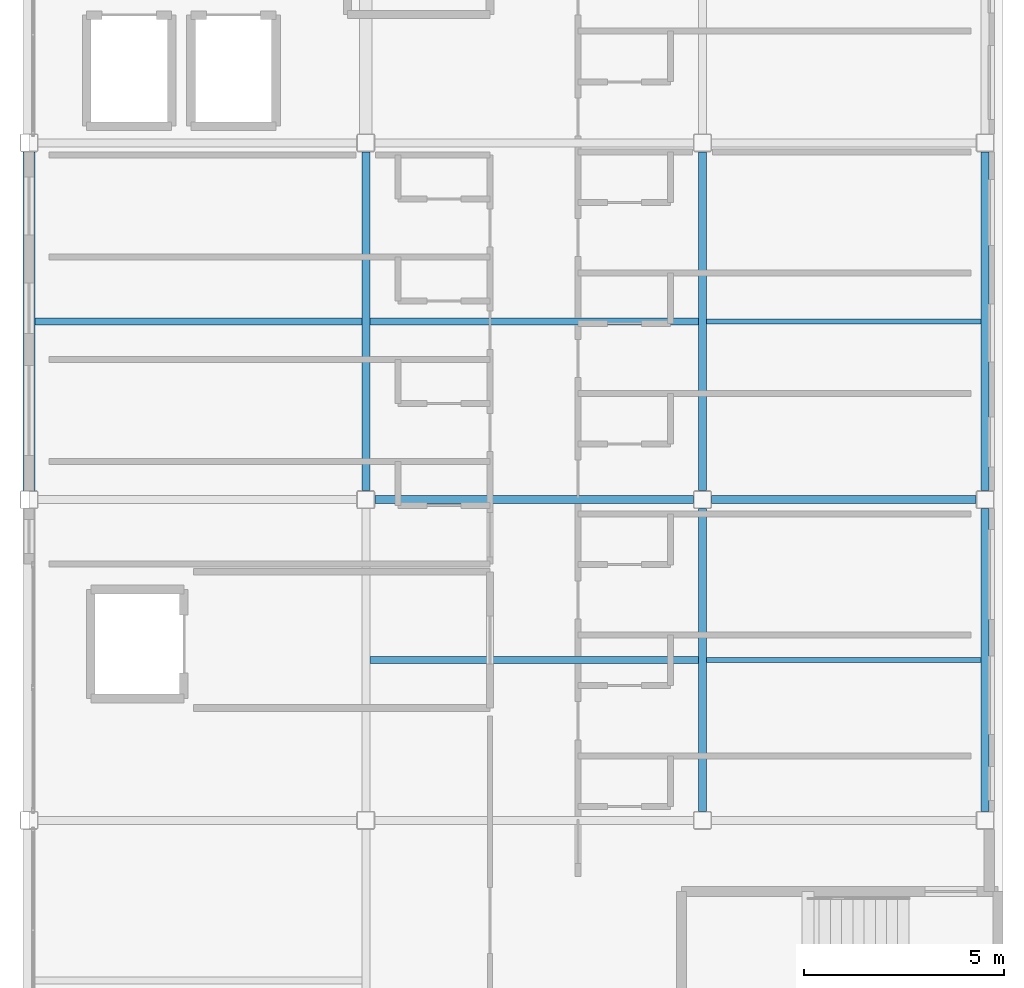
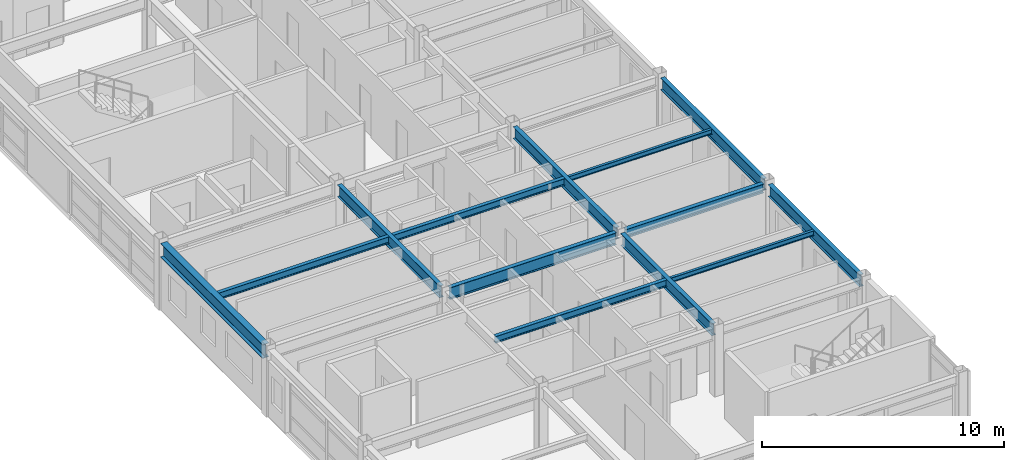
# One storey, part 8 of 28: 13 beams.
"""IFC4 building model written with IfcOpenShell, lengths in metres."""

from ifc_helpers import new_model, si_unit, direction, frame, origin, origin_2d, place, context, subcontext, project, spatial, i_section, extrude, material, material_profile, profile_set, type_object, element, save


model = new_model("IFC4")

# Units and contexts
model_context = context("Model", 3, precision=1e-05, world=origin(), true_north=direction((0.0, 1.0)))
body_context = subcontext(model_context, "Body", "Model", "MODEL_VIEW")
ifc_project = project(units=[si_unit("LENGTHUNIT", "METRE"), si_unit("AREAUNIT", "SQUARE_METRE"), si_unit("VOLUMEUNIT", "CUBIC_METRE"), si_unit("PLANEANGLEUNIT", "RADIAN"), si_unit("MASSUNIT", "GRAM", prefix="KILO")], contexts=[model_context])

# Site, building, storey
site_placement = place(None, origin())
site = spatial("IfcSite", under=ifc_project, at=site_placement, CompositionType="ELEMENT")
building_placement = place(site_placement, origin())
building = spatial("IfcBuilding", under=site, at=building_placement, Name="Kazehara Bluff Congress Hotel", CompositionType="ELEMENT")
storey_placement = place(building_placement, frame((0.0, 0.0, 42.60009765625)))
storey = spatial("IfcBuildingStorey", under=building, at=storey_placement, Name="L10", CompositionType="ELEMENT", Elevation=42.60009765625)

# Beams
ifc_material_1 = material(Name="Steel SN490B", Category="steel")
ifc_material_profile_1 = material_profile(ifc_material_1, i_section(OverallWidth=0.199951171875, OverallDepth=0.60009765625, WebThickness=0.010986328125, FlangeThickness=0.01708984375, FilletRadius=0.012939453125, at=origin_2d()))
ifc_profile_set_1 = profile_set([ifc_material_profile_1], Name="Steel SN490B")
beam_type_1 = type_object("IfcBeamType", Name="TP-G-02", PredefinedType="BEAM", material=ifc_profile_set_1)
beam_1_placement = place(storey_placement, frame((152.10009765625, 32.22509765625, 3.079833984375), z_axis=(0.0, 1.0, 0.0), x_axis=(-1.0, 0.0, 0.0)))
element("IfcBeam", 1, at=beam_1_placement, inside=storey, type_object=beam_type_1, Name="L10 girder G-02 10", PredefinedType="BEAM", context=body_context, shape_type="SweptSolid", body=[
    extrude(i_section(OverallWidth=0.199951171875, OverallDepth=0.60009765625, WebThickness=0.010986328125, FlangeThickness=0.01708984375, FilletRadius=0.012939453125, at=origin_2d()), origin(), (0.0, 0.0, 1.0), 8.449951171875),
])
beam_2_placement = place(storey_placement, frame((160.5, 24.22509765625, 3.079833984375), z_axis=(0.0, 1.0, 0.0), x_axis=(-1.0, 0.0, 0.0)))
element("IfcBeam", 2, at=beam_2_placement, inside=storey, type_object=beam_type_1, Name="L10 girder G-02 15", PredefinedType="BEAM", context=body_context, shape_type="SweptSolid", body=[
    extrude(i_section(OverallWidth=0.199951171875, OverallDepth=0.60009765625, WebThickness=0.010986328125, FlangeThickness=0.01708984375, FilletRadius=0.012939453125, at=origin_2d()), origin(), (0.0, 0.0, 1.0), 7.5498046875),
])
beam_3_placement = place(storey_placement, frame((160.5, 32.22509765625, 3.079833984375), z_axis=(0.0, 1.0, 0.0), x_axis=(-1.0, 0.0, 0.0)))
element("IfcBeam", 3, at=beam_3_placement, inside=storey, type_object=beam_type_1, Name="L10 girder G-02 16", PredefinedType="BEAM", context=body_context, shape_type="SweptSolid", body=[
    extrude(i_section(OverallWidth=0.199951171875, OverallDepth=0.60009765625, WebThickness=0.010986328125, FlangeThickness=0.01708984375, FilletRadius=0.012939453125, at=origin_2d()), origin(), (0.0, 0.0, 1.0), 8.449951171875),
])
beam_4_placement = place(storey_placement, frame((167.550048828125, 24.22509765625, 3.079833984375), z_axis=(0.0, 1.0, 0.0), x_axis=(-1.0, 0.0, 0.0)))
element("IfcBeam", 4, at=beam_4_placement, inside=storey, type_object=beam_type_1, Name="L10 girder G-02 20", PredefinedType="BEAM", context=body_context, shape_type="SweptSolid", body=[
    extrude(i_section(OverallWidth=0.199951171875, OverallDepth=0.60009765625, WebThickness=0.010986328125, FlangeThickness=0.01708984375, FilletRadius=0.012939453125, at=origin_2d()), origin(), (0.0, 0.0, 1.0), 7.5498046875),
])
beam_5_placement = place(storey_placement, frame((167.550048828125, 32.22509765625, 3.079833984375), z_axis=(0.0, 1.0, 0.0), x_axis=(-1.0, 0.0, 0.0)))
element("IfcBeam", 5, at=beam_5_placement, inside=storey, type_object=beam_type_1, Name="L10 girder G-02 21", PredefinedType="BEAM", context=body_context, shape_type="SweptSolid", body=[
    extrude(i_section(OverallWidth=0.199951171875, OverallDepth=0.60009765625, WebThickness=0.010986328125, FlangeThickness=0.01708984375, FilletRadius=0.012939453125, at=origin_2d()), origin(), (0.0, 0.0, 1.0), 8.449951171875),
])
beam_6_placement = place(storey_placement, frame((152.324951171875, 32.0, 3.079833984375), z_axis=(1.0, 0.0, 0.0), x_axis=(0.0, 1.0, 0.0)))
element("IfcBeam", 6, at=beam_6_placement, inside=storey, type_object=beam_type_1, Name="L10 girder G-02 32", PredefinedType="BEAM", context=body_context, shape_type="SweptSolid", body=[
    extrude(i_section(OverallWidth=0.199951171875, OverallDepth=0.60009765625, WebThickness=0.010986328125, FlangeThickness=0.01708984375, FilletRadius=0.012939453125, at=origin_2d()), origin(), (0.0, 0.0, 1.0), 7.949951171875),
])
ifc_material_2 = material(Name="Steel SN490B", Category="steel")
ifc_material_profile_2 = material_profile(ifc_material_2, i_section(OverallWidth=0.199951171875, OverallDepth=0.449951171875, WebThickness=0.009033203125, FlangeThickness=0.013916015625, FilletRadius=0.012939453125, at=origin_2d()))
ifc_profile_set_2 = profile_set([ifc_material_profile_2], Name="Steel SN490B")
beam_type_2 = type_object("IfcBeamType", Name="TP-G-11", PredefinedType="BEAM", material=ifc_profile_set_2)
beam_7_placement = place(storey_placement, frame((160.72509765625, 32.0, 3.15478515625), z_axis=(1.0, 0.0, 0.0), x_axis=(0.0, 1.0, 0.0)))
element("IfcBeam", 7, at=beam_7_placement, inside=storey, type_object=beam_type_2, Name="L10 girder G-11 33", PredefinedType="BEAM", context=body_context, shape_type="SweptSolid", body=[
    extrude(i_section(OverallWidth=0.199951171875, OverallDepth=0.449951171875, WebThickness=0.009033203125, FlangeThickness=0.013916015625, FilletRadius=0.012939453125, at=origin_2d()), origin(), (0.0, 0.0, 1.0), 6.599853515625),
])
ifc_material_3 = material(Name="Steel SN400B", Category="steel")
ifc_material_profile_3 = material_profile(ifc_material_3, i_section(OverallWidth=0.175048828125, OverallDepth=0.35009765625, WebThickness=0.007080078125, FlangeThickness=0.010986328125, FilletRadius=0.012939453125, at=origin_2d()))
ifc_profile_set_3 = profile_set([ifc_material_profile_3], Name="Steel SN400B")
beam_type_3 = type_object("IfcBeamType", Name="TP-J-02", PredefinedType="JOIST", material=ifc_profile_set_3)
beam_8_placement = place(storey_placement, frame((143.85009765625, 36.449951171875, 3.204833984375), z_axis=(1.0, 0.0, 0.0), x_axis=(0.0, 1.0, 0.0)))
element("IfcBeam", 8, at=beam_8_placement, inside=storey, type_object=beam_type_3, Name="L10 secondary joist J-02 2", PredefinedType="JOIST", context=body_context, shape_type="SweptSolid", body=[
    extrude(i_section(OverallWidth=0.175048828125, OverallDepth=0.35009765625, WebThickness=0.007080078125, FlangeThickness=0.010986328125, FilletRadius=0.012939453125, at=origin_2d()), origin(), (0.0, 0.0, 1.0), 8.14990234375),
])
for number, where, z_axis, x_axis, name in (
    (9, (152.199951171875, 28.0, 3.204833984375), (1.0, 0.0, 0.0), (0.0, 1.0, 0.0), "L10 secondary joist J-02 5"),
    (10, (152.199951171875, 36.449951171875, 3.204833984375), (1.0, 0.0, 0.0), (0.0, 1.0, 0.0), "L10 secondary joist J-02 6"),
):
    element("IfcBeam", number, at=place(storey_placement, frame(where, z_axis=z_axis, x_axis=x_axis)), inside=storey, type_object=beam_type_3, Name=name, PredefinedType="JOIST", context=body_context, shape_type="SweptSolid", body=[
        extrude(i_section(OverallWidth=0.175048828125, OverallDepth=0.35009765625, WebThickness=0.007080078125, FlangeThickness=0.010986328125, FilletRadius=0.012939453125, at=origin_2d()), origin(), (0.0, 0.0, 1.0), 8.199951171875),
    ])
ifc_material_4 = material(Name="Steel SN400B", Category="steel")
ifc_material_profile_4 = material_profile(ifc_material_4, i_section(OverallWidth=0.125, OverallDepth=0.25, WebThickness=0.006103515625, FlangeThickness=0.009033203125, FilletRadius=0.008056640625, at=origin_2d()))
ifc_profile_set_4 = profile_set([ifc_material_profile_4], Name="Steel SN400B")
beam_type_4 = type_object("IfcBeamType", Name="TP-J-05", PredefinedType="JOIST", material=ifc_profile_set_4)
for number, where, z_axis, x_axis, name in (
    (11, (160.60009765625, 28.0, 3.2548828125), (1.0, 0.0, 0.0), (0.0, 1.0, 0.0), "L10 secondary joist J-05 8"),
    (12, (160.60009765625, 36.449951171875, 3.2548828125), (1.0, 0.0, 0.0), (0.0, 1.0, 0.0), "L10 secondary joist J-05 9"),
):
    element("IfcBeam", number, at=place(storey_placement, frame(where, z_axis=z_axis, x_axis=x_axis)), inside=storey, type_object=beam_type_4, Name=name, PredefinedType="JOIST", context=body_context, shape_type="SweptSolid", body=[
        extrude(i_section(OverallWidth=0.125, OverallDepth=0.25, WebThickness=0.006103515625, FlangeThickness=0.009033203125, FilletRadius=0.008056640625, at=origin_2d()), origin(), (0.0, 0.0, 1.0), 6.849853515625),
    ])
ifc_material_5 = material(Name="Steel SN490B", Category="steel")
ifc_material_profile_5 = material_profile(ifc_material_5, i_section(OverallWidth=0.300048828125, OverallDepth=0.699951171875, WebThickness=0.012939453125, FlangeThickness=0.02392578125, FilletRadius=0.01806640625, at=origin_2d()))
ifc_profile_set_5 = profile_set([ifc_material_profile_5], Name="Steel SN490B")
beam_type_5 = type_object("IfcBeamType", Name="TP-SP-03", PredefinedType="SPANDREL", material=ifc_profile_set_5)
beam_9_placement = place(storey_placement, frame((143.699951171875, 32.22509765625, 3.02978515625), z_axis=(0.0, 1.0, 0.0), x_axis=(-1.0, 0.0, 0.0)))
element("IfcBeam", 13, at=beam_9_placement, inside=storey, type_object=beam_type_5, Name="L10 girder SP-03 3", PredefinedType="SPANDREL", context=body_context, shape_type="SweptSolid", body=[
    extrude(i_section(OverallWidth=0.300048828125, OverallDepth=0.699951171875, WebThickness=0.012939453125, FlangeThickness=0.02392578125, FilletRadius=0.01806640625, at=origin_2d()), origin(), (0.0, 0.0, 1.0), 8.449951171875),
])

save(model, "model.ifc")
